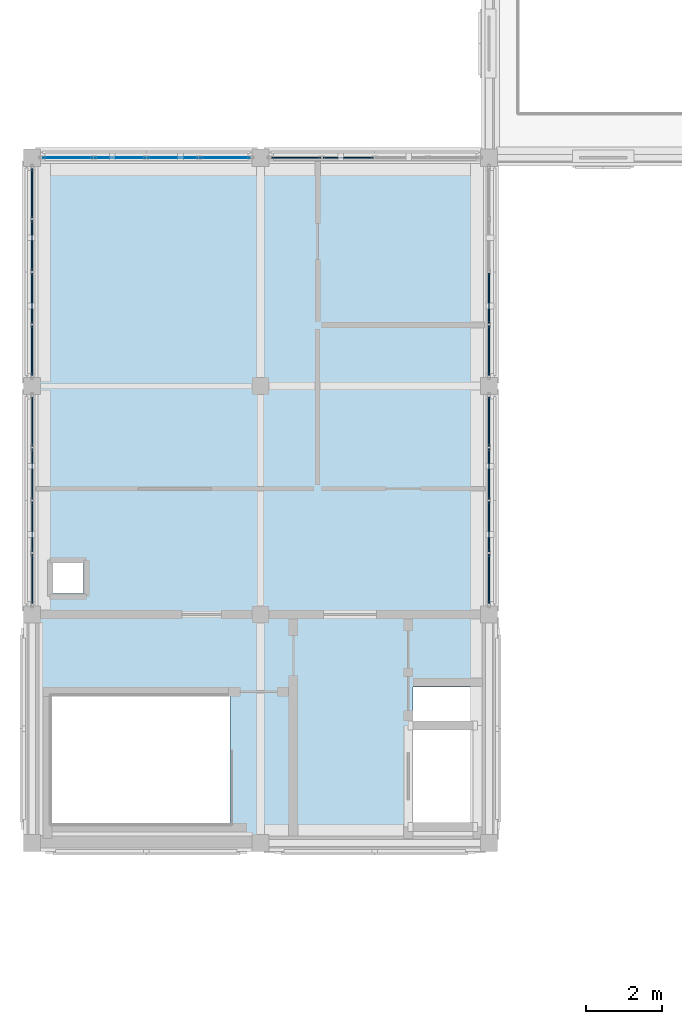
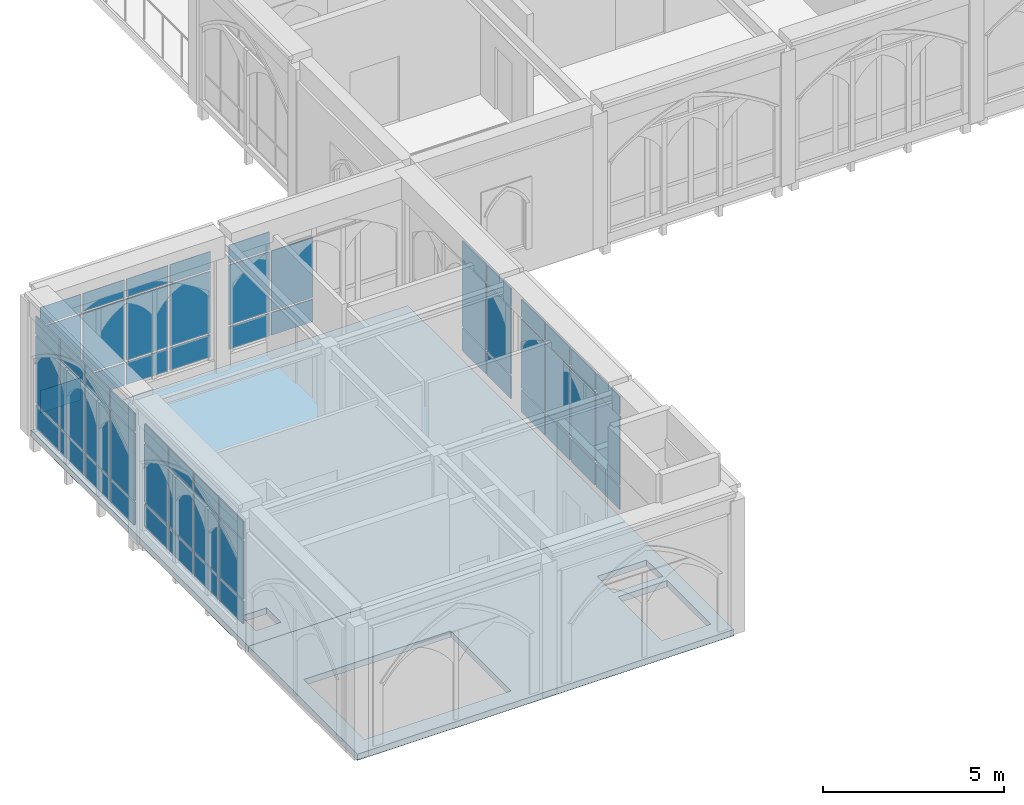
# One storey, part 35 of 59: 59 plates, 2 slabs, 6 elements without a shape of their own.
"""IFC4 building model written with IfcOpenShell, lengths in metres."""

from ifc_helpers import new_model, si_unit, direction, frame, origin, origin_2d, place, context, subcontext, project, spatial, polyline, rectangle, outline, extrude, material, layer, layer_set, type_object, element, aggregate, save


model = new_model("IFC4")

# Units and contexts
model_context = context("Model", 3, precision=1e-05, world=origin(), true_north=direction((0.0, 1.0)))
body_context = subcontext(model_context, "Body", "Model", "MODEL_VIEW")
ifc_project = project(units=[si_unit("LENGTHUNIT", "METRE"), si_unit("AREAUNIT", "SQUARE_METRE"), si_unit("VOLUMEUNIT", "CUBIC_METRE"), si_unit("PLANEANGLEUNIT", "RADIAN"), si_unit("MASSUNIT", "GRAM", prefix="KILO")], contexts=[model_context])

# Site, building, storey
site_placement = place(None, origin())
site = spatial("IfcSite", under=ifc_project, at=site_placement, CompositionType="ELEMENT")
building_placement = place(site_placement, origin())
building = spatial("IfcBuilding", under=site, at=building_placement, Name="Cumevento Cable Car Station", CompositionType="ELEMENT")
storey_placement = place(building_placement, frame((0.0, 0.0, 18.0)))
storey = spatial("IfcBuildingStorey", under=building, at=storey_placement, Name="L05", CompositionType="ELEMENT", Elevation=18.0)

# Slabs
ifc_material_1 = material(Name="Concrete C40/50", Category="concrete")
ifc_layer_1 = layer(ifc_material_1, 0.2119140625)
ifc_layer_set_1 = layer_set([ifc_layer_1], Name="Concrete C40/50")
slab_type = type_object("IfcSlabType", Name="Concrete Deck FS-212 212", PredefinedType="FLOOR", material=ifc_layer_set_1)
slab_1_placement = place(storey_placement, frame((0.0, 0.0, -0.2119140625)))
element("IfcSlab", 1, at=slab_1_placement, inside=storey, type_object=slab_type, Name="Floor Slab FS-212 L05 B_V6b_core.1", PredefinedType="FLOOR", context=body_context, shape_type="SweptSolid", body=[
    extrude(outline(polyline([(10.0, 27.0), (22.0, 27.0), (22.0, 33.0), (10.0, 33.0), (10.0, 27.0)]), holes=[polyline([(20.010009765625, 27.5400390625), (21.580078125, 27.5400390625), (21.580078125, 29.9599609375), (20.010009765625, 29.9599609375), (20.010009765625, 27.5400390625)]), polyline([(10.52001953125, 27.52001953125), (15.199951171875, 27.52001953125), (15.199951171875, 30.85009765625), (10.52001953125, 30.85009765625), (10.52001953125, 27.52001953125)]), polyline([(20.010009765625, 30.199951171875), (21.580078125, 30.199951171875), (21.580078125, 31.10009765625), (20.010009765625, 31.10009765625), (20.010009765625, 30.199951171875)])]), origin(), (0.0, 0.0, 1.0), 0.2119140625),
])
slab_2_placement = place(storey_placement, frame((0.0, 0.0, -0.2119140625)))
element("IfcSlab", 2, at=slab_2_placement, inside=storey, type_object=slab_type, Name="Floor Slab FS-212 L05 B_V6b.1", PredefinedType="FLOOR", context=body_context, shape_type="SweptSolid", body=[
    extrude(outline(polyline([(10.0, 33.0), (22.0, 33.0), (22.0, 45.0), (10.0, 45.0), (10.0, 33.0)]), holes=[polyline([(10.550048828125, 33.550048828125), (11.35009765625, 33.550048828125), (11.35009765625, 34.35009765625), (10.550048828125, 34.35009765625), (10.550048828125, 33.550048828125)])]), origin(), (0.0, 0.0, 1.0), 0.2119140625),
])

# Curtain wall, plates
ifc_material_2 = material(Name="Anodised Bronze Aluminium AW-6063-T6", Category="aluminium")
ifc_layer_2 = layer(ifc_material_2, 0.18994140625)
ifc_layer_set_2 = layer_set([ifc_layer_2], Name="Anodised Bronze Aluminium AW-6063-T6")
curtain_wall_type_1 = type_object("IfcCurtainWallType", Name="Lancet Curtain Wall CW-06 1250", PredefinedType="NOTDEFINED", material=ifc_layer_set_2)
curtain_wall_1_placement = place(storey_placement, origin())
curtain_wall_1 = element("IfcCurtainWall", 3, at=curtain_wall_1_placement, inside=storey, type_object=curtain_wall_type_1, Name="Lancet Curtain Wall CW-06 L05 #197", PredefinedType="NOTDEFINED")
ifc_material_3 = material(Name="Solar Control Laminated Double Glazing", Category="glass")
ifc_layer_3 = layer(ifc_material_3, 0.02587890625)
ifc_layer_set_3 = layer_set([ifc_layer_3], Name="Solar Control Laminated Double Glazing")
plate_type_1 = type_object("IfcPlateType", Name="Glazed Panel CWP-02 26", PredefinedType="CURTAIN_PANEL", material=ifc_layer_set_3)
plate_1_placement = place(storey_placement, frame((10.93505859375, 45.0, 0.47509765625), z_axis=(0.0, 0.0, 1.0), x_axis=(1.0, 0.0, 0.0)))
plate_1 = element("IfcPlate", 4, at=plate_1_placement, type_object=plate_type_1, Name="CW-06 panel 1.1", PredefinedType="CURTAIN_PANEL", context=body_context, shape_type="SweptSolid", body=[
    extrude(rectangle(XDim=1.2900390625, YDim=0.02587890625, at=origin_2d()), origin(), (0.0, 0.0, 1.0), 0.75244140625),
])
plate_2_placement = place(storey_placement, frame((10.93505859375, 45.0, 1.29248046875), z_axis=(0.0, 0.0, 1.0), x_axis=(1.0, 0.0, 0.0)))
plate_2 = element("IfcPlate", 5, at=plate_2_placement, type_object=plate_type_1, Name="CW-06 panel 1.2", PredefinedType="CURTAIN_PANEL", context=body_context, shape_type="SweptSolid", body=[
    extrude(rectangle(XDim=1.2900390625, YDim=0.02587890625, at=origin_2d()), origin(), (0.0, 0.0, 1.0), 2.068115234375),
])
plate_3_placement = place(storey_placement, frame((10.93505859375, 45.0, 3.425537109375), z_axis=(0.0, 0.0, 1.0), x_axis=(1.0, 0.0, 0.0)))
plate_3 = element("IfcPlate", 6, at=plate_3_placement, type_object=plate_type_1, Name="CW-06 panel 1.3", PredefinedType="CURTAIN_PANEL", context=body_context, shape_type="SweptSolid", body=[
    extrude(rectangle(XDim=1.2900390625, YDim=0.02587890625, at=origin_2d()), origin(), (0.0, 0.0, 1.0), 0.6025390625),
])
plate_4_placement = place(storey_placement, frame((12.30615234375, 45.0, 0.47509765625), z_axis=(0.0, 0.0, 1.0), x_axis=(1.0, 0.0, 0.0)))
plate_4 = element("IfcPlate", 7, at=plate_4_placement, type_object=plate_type_1, Name="CW-06 panel 2.1", PredefinedType="CURTAIN_PANEL", context=body_context, shape_type="SweptSolid", body=[
    extrude(rectangle(XDim=1.322509765625, YDim=0.02587890625, at=origin_2d()), origin(), (0.0, 0.0, 1.0), 0.75244140625),
])
plate_5_placement = place(storey_placement, frame((12.30615234375, 45.0, 1.29248046875), z_axis=(0.0, 0.0, 1.0), x_axis=(1.0, 0.0, 0.0)))
plate_5 = element("IfcPlate", 8, at=plate_5_placement, type_object=plate_type_1, Name="CW-06 panel 2.2", PredefinedType="CURTAIN_PANEL", context=body_context, shape_type="SweptSolid", body=[
    extrude(rectangle(XDim=1.322509765625, YDim=0.02587890625, at=origin_2d()), origin(), (0.0, 0.0, 1.0), 2.068115234375),
])
plate_6_placement = place(storey_placement, frame((12.30615234375, 45.0, 3.425537109375), z_axis=(0.0, 0.0, 1.0), x_axis=(1.0, 0.0, 0.0)))
plate_6 = element("IfcPlate", 9, at=plate_6_placement, type_object=plate_type_1, Name="CW-06 panel 2.3", PredefinedType="CURTAIN_PANEL", context=body_context, shape_type="SweptSolid", body=[
    extrude(rectangle(XDim=1.322509765625, YDim=0.02587890625, at=origin_2d()), origin(), (0.0, 0.0, 1.0), 0.6025390625),
])
plate_7_placement = place(storey_placement, frame((13.69384765625, 45.0, 0.47509765625), z_axis=(0.0, 0.0, 1.0), x_axis=(1.0, 0.0, 0.0)))
plate_7 = element("IfcPlate", 10, at=plate_7_placement, type_object=plate_type_1, Name="CW-06 panel 3.1", PredefinedType="CURTAIN_PANEL", context=body_context, shape_type="SweptSolid", body=[
    extrude(rectangle(XDim=1.322509765625, YDim=0.02587890625, at=origin_2d()), origin(), (0.0, 0.0, 1.0), 0.75244140625),
])
plate_8_placement = place(storey_placement, frame((13.69384765625, 45.0, 1.29248046875), z_axis=(0.0, 0.0, 1.0), x_axis=(1.0, 0.0, 0.0)))
plate_8 = element("IfcPlate", 11, at=plate_8_placement, type_object=plate_type_1, Name="CW-06 panel 3.2", PredefinedType="CURTAIN_PANEL", context=body_context, shape_type="SweptSolid", body=[
    extrude(rectangle(XDim=1.322509765625, YDim=0.02587890625, at=origin_2d()), origin(), (0.0, 0.0, 1.0), 2.068115234375),
])
plate_9_placement = place(storey_placement, frame((13.69384765625, 45.0, 3.425537109375), z_axis=(0.0, 0.0, 1.0), x_axis=(1.0, 0.0, 0.0)))
plate_9 = element("IfcPlate", 12, at=plate_9_placement, type_object=plate_type_1, Name="CW-06 panel 3.3", PredefinedType="CURTAIN_PANEL", context=body_context, shape_type="SweptSolid", body=[
    extrude(rectangle(XDim=1.322509765625, YDim=0.02587890625, at=origin_2d()), origin(), (0.0, 0.0, 1.0), 0.6025390625),
])
plate_10_placement = place(storey_placement, frame((15.06494140625, 45.0, 0.47509765625), z_axis=(0.0, 0.0, 1.0), x_axis=(1.0, 0.0, 0.0)))
plate_10 = element("IfcPlate", 13, at=plate_10_placement, type_object=plate_type_1, Name="CW-06 panel 4.1", PredefinedType="CURTAIN_PANEL", context=body_context, shape_type="SweptSolid", body=[
    extrude(rectangle(XDim=1.2900390625, YDim=0.02587890625, at=origin_2d()), origin(), (0.0, 0.0, 1.0), 0.75244140625),
])
plate_11_placement = place(storey_placement, frame((15.06494140625, 45.0, 1.29248046875), z_axis=(0.0, 0.0, 1.0), x_axis=(1.0, 0.0, 0.0)))
plate_11 = element("IfcPlate", 14, at=plate_11_placement, type_object=plate_type_1, Name="CW-06 panel 4.2", PredefinedType="CURTAIN_PANEL", context=body_context, shape_type="SweptSolid", body=[
    extrude(rectangle(XDim=1.2900390625, YDim=0.02587890625, at=origin_2d()), origin(), (0.0, 0.0, 1.0), 2.068115234375),
])
plate_12_placement = place(storey_placement, frame((15.06494140625, 45.0, 3.425537109375), z_axis=(0.0, 0.0, 1.0), x_axis=(1.0, 0.0, 0.0)))
plate_12 = element("IfcPlate", 15, at=plate_12_placement, type_object=plate_type_1, Name="CW-06 panel 4.3", PredefinedType="CURTAIN_PANEL", context=body_context, shape_type="SweptSolid", body=[
    extrude(rectangle(XDim=1.2900390625, YDim=0.02587890625, at=origin_2d()), origin(), (0.0, 0.0, 1.0), 0.6025390625),
])
aggregate(curtain_wall_1, [plate_1, plate_2, plate_3, plate_4, plate_5, plate_6, plate_7, plate_8, plate_9, plate_10, plate_11, plate_12])

ifc_material_4 = material(Name="Anodised Bronze Aluminium AW-6063-T6", Category="aluminium")
ifc_layer_4 = layer(ifc_material_4, 0.196044921875)
ifc_layer_set_4 = layer_set([ifc_layer_4], Name="Anodised Bronze Aluminium AW-6063-T6")
curtain_wall_type_2 = type_object("IfcCurtainWallType", Name="Lancet Curtain Wall CW-07 1290", PredefinedType="NOTDEFINED", material=ifc_layer_set_4)
curtain_wall_2_placement = place(storey_placement, origin())
curtain_wall_2 = element("IfcCurtainWall", 16, at=curtain_wall_2_placement, inside=storey, type_object=curtain_wall_type_2, Name="Lancet Curtain Wall CW-07 L05 #198", PredefinedType="NOTDEFINED")
ifc_material_5 = material(Name="Solar Control Laminated Double Glazing", Category="glass")
ifc_layer_5 = layer(ifc_material_5, 0.030029296875)
ifc_layer_set_5 = layer_set([ifc_layer_5], Name="Solar Control Laminated Double Glazing")
plate_type_2 = type_object("IfcPlateType", Name="Glazed Panel CWP-03 30", PredefinedType="CURTAIN_PANEL", material=ifc_layer_set_5)
plate_13_placement = place(storey_placement, frame((16.93505859375, 45.0, 0.525146484375), z_axis=(0.0, 0.0, 1.0), x_axis=(1.0, 0.0, 0.0)))
plate_13 = element("IfcPlate", 17, at=plate_13_placement, type_object=plate_type_2, Name="CW-07 panel 1.1", PredefinedType="CURTAIN_PANEL", context=body_context, shape_type="SweptSolid", body=[
    extrude(rectangle(XDim=1.2900390625, YDim=0.030029296875, at=origin_2d()), origin(), (0.0, 0.0, 1.0), 0.75244140625),
])
plate_14_placement = place(storey_placement, frame((16.93505859375, 45.0, 1.342529296875), z_axis=(0.0, 0.0, 1.0), x_axis=(1.0, 0.0, 0.0)))
plate_14 = element("IfcPlate", 18, at=plate_14_placement, type_object=plate_type_2, Name="CW-07 panel 1.2", PredefinedType="CURTAIN_PANEL", context=body_context, shape_type="SweptSolid", body=[
    extrude(rectangle(XDim=1.2900390625, YDim=0.030029296875, at=origin_2d()), origin(), (0.0, 0.0, 1.0), 2.01806640625),
])
plate_15_placement = place(storey_placement, frame((16.93505859375, 45.0, 3.425537109375), z_axis=(0.0, 0.0, 1.0), x_axis=(1.0, 0.0, 0.0)))
plate_15 = element("IfcPlate", 19, at=plate_15_placement, type_object=plate_type_2, Name="CW-07 panel 1.3", PredefinedType="CURTAIN_PANEL", context=body_context, shape_type="SweptSolid", body=[
    extrude(rectangle(XDim=1.2900390625, YDim=0.030029296875, at=origin_2d()), origin(), (0.0, 0.0, 1.0), 0.6025390625),
])
plate_16_placement = place(storey_placement, frame((18.30615234375, 45.0, 0.525146484375), z_axis=(0.0, 0.0, 1.0), x_axis=(1.0, 0.0, 0.0)))
plate_16 = element("IfcPlate", 20, at=plate_16_placement, type_object=plate_type_2, Name="CW-07 panel 2.1", PredefinedType="CURTAIN_PANEL", context=body_context, shape_type="SweptSolid", body=[
    extrude(rectangle(XDim=1.322509765625, YDim=0.030029296875, at=origin_2d()), origin(), (0.0, 0.0, 1.0), 0.75244140625),
])
plate_17_placement = place(storey_placement, frame((18.30615234375, 45.0, 1.342529296875), z_axis=(0.0, 0.0, 1.0), x_axis=(1.0, 0.0, 0.0)))
plate_17 = element("IfcPlate", 21, at=plate_17_placement, type_object=plate_type_2, Name="CW-07 panel 2.2", PredefinedType="CURTAIN_PANEL", context=body_context, shape_type="SweptSolid", body=[
    extrude(rectangle(XDim=1.322509765625, YDim=0.030029296875, at=origin_2d()), origin(), (0.0, 0.0, 1.0), 2.01806640625),
])
aggregate(curtain_wall_2, [plate_13, plate_14, plate_15, plate_16, plate_17])

ifc_material_6 = material(Name="Anodised Bronze Aluminium AW-6063-T6", Category="aluminium")
ifc_layer_6 = layer(ifc_material_6, 0.201904296875)
ifc_layer_set_6 = layer_set([ifc_layer_6], Name="Anodised Bronze Aluminium AW-6063-T6")
curtain_wall_type_3 = type_object("IfcCurtainWallType", Name="Lancet Curtain Wall CW-08 1330", PredefinedType="NOTDEFINED", material=ifc_layer_set_6)
curtain_wall_3_placement = place(storey_placement, origin())
curtain_wall_3 = element("IfcCurtainWall", 22, at=curtain_wall_3_placement, inside=storey, type_object=curtain_wall_type_3, Name="Lancet Curtain Wall CW-08 L05 #199", PredefinedType="NOTDEFINED")
ifc_material_7 = material(Name="Solar Control Laminated Double Glazing", Category="glass")
ifc_layer_7 = layer(ifc_material_7, 0.033935546875)
ifc_layer_set_7 = layer_set([ifc_layer_7], Name="Solar Control Laminated Double Glazing")
plate_type_3 = type_object("IfcPlateType", Name="Glazed Panel CWP-04 34", PredefinedType="CURTAIN_PANEL", material=ifc_layer_set_7)
plate_18_placement = place(storey_placement, frame((10.0, 33.93505859375, 0.5849609375), z_axis=(0.0, 0.0, 1.0), x_axis=(0.0, 1.0, 0.0)))
plate_18 = element("IfcPlate", 23, at=plate_18_placement, type_object=plate_type_3, Name="CW-08 panel 1.1", PredefinedType="CURTAIN_PANEL", context=body_context, shape_type="SweptSolid", body=[
    extrude(rectangle(XDim=1.2900390625, YDim=0.033935546875, at=origin_2d()), origin(), (0.0, 0.0, 1.0), 0.75244140625),
])
plate_19_placement = place(storey_placement, frame((10.0, 33.93505859375, 1.402587890625), z_axis=(0.0, 0.0, 1.0), x_axis=(0.0, 1.0, 0.0)))
plate_19 = element("IfcPlate", 24, at=plate_19_placement, type_object=plate_type_3, Name="CW-08 panel 1.2", PredefinedType="CURTAIN_PANEL", context=body_context, shape_type="SweptSolid", body=[
    extrude(rectangle(XDim=1.2900390625, YDim=0.033935546875, at=origin_2d()), origin(), (0.0, 0.0, 1.0), 1.9580078125),
])
plate_20_placement = place(storey_placement, frame((10.0, 33.93505859375, 3.425537109375), z_axis=(0.0, 0.0, 1.0), x_axis=(0.0, 1.0, 0.0)))
plate_20 = element("IfcPlate", 25, at=plate_20_placement, type_object=plate_type_3, Name="CW-08 panel 1.3", PredefinedType="CURTAIN_PANEL", context=body_context, shape_type="SweptSolid", body=[
    extrude(rectangle(XDim=1.2900390625, YDim=0.033935546875, at=origin_2d()), origin(), (0.0, 0.0, 1.0), 0.6025390625),
])
plate_21_placement = place(storey_placement, frame((10.0, 35.30615234375, 0.5849609375), z_axis=(0.0, 0.0, 1.0), x_axis=(0.0, 1.0, 0.0)))
plate_21 = element("IfcPlate", 26, at=plate_21_placement, type_object=plate_type_3, Name="CW-08 panel 2.1", PredefinedType="CURTAIN_PANEL", context=body_context, shape_type="SweptSolid", body=[
    extrude(rectangle(XDim=1.322509765625, YDim=0.033935546875, at=origin_2d()), origin(), (0.0, 0.0, 1.0), 0.75244140625),
])
plate_22_placement = place(storey_placement, frame((10.0, 35.30615234375, 1.402587890625), z_axis=(0.0, 0.0, 1.0), x_axis=(0.0, 1.0, 0.0)))
plate_22 = element("IfcPlate", 27, at=plate_22_placement, type_object=plate_type_3, Name="CW-08 panel 2.2", PredefinedType="CURTAIN_PANEL", context=body_context, shape_type="SweptSolid", body=[
    extrude(rectangle(XDim=1.322509765625, YDim=0.033935546875, at=origin_2d()), origin(), (0.0, 0.0, 1.0), 1.9580078125),
])
plate_23_placement = place(storey_placement, frame((10.0, 35.30615234375, 3.425537109375), z_axis=(0.0, 0.0, 1.0), x_axis=(0.0, 1.0, 0.0)))
plate_23 = element("IfcPlate", 28, at=plate_23_placement, type_object=plate_type_3, Name="CW-08 panel 2.3", PredefinedType="CURTAIN_PANEL", context=body_context, shape_type="SweptSolid", body=[
    extrude(rectangle(XDim=1.322509765625, YDim=0.033935546875, at=origin_2d()), origin(), (0.0, 0.0, 1.0), 0.6025390625),
])
plate_24_placement = place(storey_placement, frame((10.0, 36.69384765625, 0.5849609375), z_axis=(0.0, 0.0, 1.0), x_axis=(0.0, 1.0, 0.0)))
plate_24 = element("IfcPlate", 29, at=plate_24_placement, type_object=plate_type_3, Name="CW-08 panel 3.1", PredefinedType="CURTAIN_PANEL", context=body_context, shape_type="SweptSolid", body=[
    extrude(rectangle(XDim=1.322509765625, YDim=0.033935546875, at=origin_2d()), origin(), (0.0, 0.0, 1.0), 0.75244140625),
])
plate_25_placement = place(storey_placement, frame((10.0, 36.69384765625, 1.402587890625), z_axis=(0.0, 0.0, 1.0), x_axis=(0.0, 1.0, 0.0)))
plate_25 = element("IfcPlate", 30, at=plate_25_placement, type_object=plate_type_3, Name="CW-08 panel 3.2", PredefinedType="CURTAIN_PANEL", context=body_context, shape_type="SweptSolid", body=[
    extrude(rectangle(XDim=1.322509765625, YDim=0.033935546875, at=origin_2d()), origin(), (0.0, 0.0, 1.0), 1.9580078125),
])
plate_26_placement = place(storey_placement, frame((10.0, 36.69384765625, 3.425537109375), z_axis=(0.0, 0.0, 1.0), x_axis=(0.0, 1.0, 0.0)))
plate_26 = element("IfcPlate", 31, at=plate_26_placement, type_object=plate_type_3, Name="CW-08 panel 3.3", PredefinedType="CURTAIN_PANEL", context=body_context, shape_type="SweptSolid", body=[
    extrude(rectangle(XDim=1.322509765625, YDim=0.033935546875, at=origin_2d()), origin(), (0.0, 0.0, 1.0), 0.6025390625),
])
plate_27_placement = place(storey_placement, frame((10.0, 38.06494140625, 0.5849609375), z_axis=(0.0, 0.0, 1.0), x_axis=(0.0, 1.0, 0.0)))
plate_27 = element("IfcPlate", 32, at=plate_27_placement, type_object=plate_type_3, Name="CW-08 panel 4.1", PredefinedType="CURTAIN_PANEL", context=body_context, shape_type="SweptSolid", body=[
    extrude(rectangle(XDim=1.2900390625, YDim=0.033935546875, at=origin_2d()), origin(), (0.0, 0.0, 1.0), 0.75244140625),
])
plate_28_placement = place(storey_placement, frame((10.0, 38.06494140625, 1.402587890625), z_axis=(0.0, 0.0, 1.0), x_axis=(0.0, 1.0, 0.0)))
plate_28 = element("IfcPlate", 33, at=plate_28_placement, type_object=plate_type_3, Name="CW-08 panel 4.2", PredefinedType="CURTAIN_PANEL", context=body_context, shape_type="SweptSolid", body=[
    extrude(rectangle(XDim=1.2900390625, YDim=0.033935546875, at=origin_2d()), origin(), (0.0, 0.0, 1.0), 1.9580078125),
])
plate_29_placement = place(storey_placement, frame((10.0, 38.06494140625, 3.425537109375), z_axis=(0.0, 0.0, 1.0), x_axis=(0.0, 1.0, 0.0)))
plate_29 = element("IfcPlate", 34, at=plate_29_placement, type_object=plate_type_3, Name="CW-08 panel 4.3", PredefinedType="CURTAIN_PANEL", context=body_context, shape_type="SweptSolid", body=[
    extrude(rectangle(XDim=1.2900390625, YDim=0.033935546875, at=origin_2d()), origin(), (0.0, 0.0, 1.0), 0.6025390625),
])
aggregate(curtain_wall_3, [plate_18, plate_19, plate_20, plate_21, plate_22, plate_23, plate_24, plate_25, plate_26, plate_27, plate_28, plate_29])

ifc_material_8 = material(Name="Anodised Bronze Aluminium AW-6063-T6", Category="aluminium")
ifc_layer_8 = layer(ifc_material_8, 0.2080078125)
ifc_layer_set_8 = layer_set([ifc_layer_8], Name="Anodised Bronze Aluminium AW-6063-T6")
curtain_wall_type_4 = type_object("IfcCurtainWallType", Name="Lancet Curtain Wall CW-09 1370", PredefinedType="NOTDEFINED", material=ifc_layer_set_8)
curtain_wall_4_placement = place(storey_placement, origin())
curtain_wall_4 = element("IfcCurtainWall", 35, at=curtain_wall_4_placement, inside=storey, type_object=curtain_wall_type_4, Name="Lancet Curtain Wall CW-09 L05 #200", PredefinedType="NOTDEFINED")
ifc_material_9 = material(Name="Solar Control Laminated Double Glazing", Category="glass")
ifc_layer_9 = layer(ifc_material_9, 0.0380859375)
ifc_layer_set_9 = layer_set([ifc_layer_9], Name="Solar Control Laminated Double Glazing")
plate_type_4 = type_object("IfcPlateType", Name="Glazed Panel CWP-05 38", PredefinedType="CURTAIN_PANEL", material=ifc_layer_set_9)
plate_30_placement = place(storey_placement, frame((22.0, 38.06494140625, 0.22509765625), z_axis=(0.0, 0.0, 1.0), x_axis=(0.0, -1.0, 0.0)))
plate_30 = element("IfcPlate", 36, at=plate_30_placement, type_object=plate_type_4, Name="CW-09 panel 1.1", PredefinedType="CURTAIN_PANEL", context=body_context, shape_type="SweptSolid", body=[
    extrude(rectangle(XDim=1.2900390625, YDim=0.0380859375, at=origin_2d()), origin(), (0.0, 0.0, 1.0), 0.75244140625),
])
plate_31_placement = place(storey_placement, frame((22.0, 38.06494140625, 1.04248046875), z_axis=(0.0, 0.0, 1.0), x_axis=(0.0, -1.0, 0.0)))
plate_31 = element("IfcPlate", 37, at=plate_31_placement, type_object=plate_type_4, Name="CW-09 panel 1.2", PredefinedType="CURTAIN_PANEL", context=body_context, shape_type="SweptSolid", body=[
    extrude(rectangle(XDim=1.2900390625, YDim=0.0380859375, at=origin_2d()), origin(), (0.0, 0.0, 1.0), 2.318115234375),
])
plate_32_placement = place(storey_placement, frame((22.0, 38.06494140625, 3.425537109375), z_axis=(0.0, 0.0, 1.0), x_axis=(0.0, -1.0, 0.0)))
plate_32 = element("IfcPlate", 38, at=plate_32_placement, type_object=plate_type_4, Name="CW-09 panel 1.3", PredefinedType="CURTAIN_PANEL", context=body_context, shape_type="SweptSolid", body=[
    extrude(rectangle(XDim=1.2900390625, YDim=0.0380859375, at=origin_2d()), origin(), (0.0, 0.0, 1.0), 0.6025390625),
])
plate_33_placement = place(storey_placement, frame((22.0, 36.69384765625, 0.22509765625), z_axis=(0.0, 0.0, 1.0), x_axis=(0.0, -1.0, 0.0)))
plate_33 = element("IfcPlate", 39, at=plate_33_placement, type_object=plate_type_4, Name="CW-09 panel 2.1", PredefinedType="CURTAIN_PANEL", context=body_context, shape_type="SweptSolid", body=[
    extrude(rectangle(XDim=1.322509765625, YDim=0.0380859375, at=origin_2d()), origin(), (0.0, 0.0, 1.0), 0.75244140625),
])
plate_34_placement = place(storey_placement, frame((22.0, 36.69384765625, 1.04248046875), z_axis=(0.0, 0.0, 1.0), x_axis=(0.0, -1.0, 0.0)))
plate_34 = element("IfcPlate", 40, at=plate_34_placement, type_object=plate_type_4, Name="CW-09 panel 2.2", PredefinedType="CURTAIN_PANEL", context=body_context, shape_type="SweptSolid", body=[
    extrude(rectangle(XDim=1.322509765625, YDim=0.0380859375, at=origin_2d()), origin(), (0.0, 0.0, 1.0), 2.318115234375),
])
plate_35_placement = place(storey_placement, frame((22.0, 36.69384765625, 3.425537109375), z_axis=(0.0, 0.0, 1.0), x_axis=(0.0, -1.0, 0.0)))
plate_35 = element("IfcPlate", 41, at=plate_35_placement, type_object=plate_type_4, Name="CW-09 panel 2.3", PredefinedType="CURTAIN_PANEL", context=body_context, shape_type="SweptSolid", body=[
    extrude(rectangle(XDim=1.322509765625, YDim=0.0380859375, at=origin_2d()), origin(), (0.0, 0.0, 1.0), 0.6025390625),
])
plate_36_placement = place(storey_placement, frame((22.0, 35.30615234375, 0.22509765625), z_axis=(0.0, 0.0, 1.0), x_axis=(0.0, -1.0, 0.0)))
plate_36 = element("IfcPlate", 42, at=plate_36_placement, type_object=plate_type_4, Name="CW-09 panel 3.1", PredefinedType="CURTAIN_PANEL", context=body_context, shape_type="SweptSolid", body=[
    extrude(rectangle(XDim=1.322509765625, YDim=0.0380859375, at=origin_2d()), origin(), (0.0, 0.0, 1.0), 0.75244140625),
])
plate_37_placement = place(storey_placement, frame((22.0, 35.30615234375, 1.04248046875), z_axis=(0.0, 0.0, 1.0), x_axis=(0.0, -1.0, 0.0)))
plate_37 = element("IfcPlate", 43, at=plate_37_placement, type_object=plate_type_4, Name="CW-09 panel 3.2", PredefinedType="CURTAIN_PANEL", context=body_context, shape_type="SweptSolid", body=[
    extrude(rectangle(XDim=1.322509765625, YDim=0.0380859375, at=origin_2d()), origin(), (0.0, 0.0, 1.0), 2.318115234375),
])
plate_38_placement = place(storey_placement, frame((22.0, 35.30615234375, 3.425537109375), z_axis=(0.0, 0.0, 1.0), x_axis=(0.0, -1.0, 0.0)))
plate_38 = element("IfcPlate", 44, at=plate_38_placement, type_object=plate_type_4, Name="CW-09 panel 3.3", PredefinedType="CURTAIN_PANEL", context=body_context, shape_type="SweptSolid", body=[
    extrude(rectangle(XDim=1.322509765625, YDim=0.0380859375, at=origin_2d()), origin(), (0.0, 0.0, 1.0), 0.6025390625),
])
plate_39_placement = place(storey_placement, frame((22.0, 33.93505859375, 0.22509765625), z_axis=(0.0, 0.0, 1.0), x_axis=(0.0, -1.0, 0.0)))
plate_39 = element("IfcPlate", 45, at=plate_39_placement, type_object=plate_type_4, Name="CW-09 panel 4.1", PredefinedType="CURTAIN_PANEL", context=body_context, shape_type="SweptSolid", body=[
    extrude(rectangle(XDim=1.2900390625, YDim=0.0380859375, at=origin_2d()), origin(), (0.0, 0.0, 1.0), 0.75244140625),
])
plate_40_placement = place(storey_placement, frame((22.0, 33.93505859375, 1.04248046875), z_axis=(0.0, 0.0, 1.0), x_axis=(0.0, -1.0, 0.0)))
plate_40 = element("IfcPlate", 46, at=plate_40_placement, type_object=plate_type_4, Name="CW-09 panel 4.2", PredefinedType="CURTAIN_PANEL", context=body_context, shape_type="SweptSolid", body=[
    extrude(rectangle(XDim=1.2900390625, YDim=0.0380859375, at=origin_2d()), origin(), (0.0, 0.0, 1.0), 2.318115234375),
])
plate_41_placement = place(storey_placement, frame((22.0, 33.93505859375, 3.425537109375), z_axis=(0.0, 0.0, 1.0), x_axis=(0.0, -1.0, 0.0)))
plate_41 = element("IfcPlate", 47, at=plate_41_placement, type_object=plate_type_4, Name="CW-09 panel 4.3", PredefinedType="CURTAIN_PANEL", context=body_context, shape_type="SweptSolid", body=[
    extrude(rectangle(XDim=1.2900390625, YDim=0.0380859375, at=origin_2d()), origin(), (0.0, 0.0, 1.0), 0.6025390625),
])
aggregate(curtain_wall_4, [plate_30, plate_31, plate_32, plate_33, plate_34, plate_35, plate_36, plate_37, plate_38, plate_39, plate_40, plate_41])

ifc_material_10 = material(Name="Anodised Bronze Aluminium AW-6063-T6", Category="aluminium")
ifc_layer_10 = layer(ifc_material_10, 0.214111328125)
ifc_layer_set_10 = layer_set([ifc_layer_10], Name="Anodised Bronze Aluminium AW-6063-T6")
curtain_wall_type_5 = type_object("IfcCurtainWallType", Name="Lancet Curtain Wall CW-10 1410", PredefinedType="NOTDEFINED", material=ifc_layer_set_10)
curtain_wall_5_placement = place(storey_placement, origin())
curtain_wall_5 = element("IfcCurtainWall", 48, at=curtain_wall_5_placement, inside=storey, type_object=curtain_wall_type_5, Name="Lancet Curtain Wall CW-10 L05 #201", PredefinedType="NOTDEFINED")
ifc_material_11 = material(Name="Solar Control Laminated Double Glazing", Category="glass")
ifc_layer_11 = layer(ifc_material_11, 0.0419921875)
ifc_layer_set_11 = layer_set([ifc_layer_11], Name="Solar Control Laminated Double Glazing")
plate_type_5 = type_object("IfcPlateType", Name="Glazed Panel CWP-06 42", PredefinedType="CURTAIN_PANEL", material=ifc_layer_set_11)
plate_42_placement = place(storey_placement, frame((10.0, 39.93505859375, 0.275146484375), z_axis=(0.0, 0.0, 1.0), x_axis=(0.0, 1.0, 0.0)))
plate_42 = element("IfcPlate", 49, at=plate_42_placement, type_object=plate_type_5, Name="CW-10 panel 1.1", PredefinedType="CURTAIN_PANEL", context=body_context, shape_type="SweptSolid", body=[
    extrude(rectangle(XDim=1.2900390625, YDim=0.0419921875, at=origin_2d()), origin(), (0.0, 0.0, 1.0), 0.75244140625),
])
plate_43_placement = place(storey_placement, frame((10.0, 39.93505859375, 1.092529296875), z_axis=(0.0, 0.0, 1.0), x_axis=(0.0, 1.0, 0.0)))
plate_43 = element("IfcPlate", 50, at=plate_43_placement, type_object=plate_type_5, Name="CW-10 panel 1.2", PredefinedType="CURTAIN_PANEL", context=body_context, shape_type="SweptSolid", body=[
    extrude(rectangle(XDim=1.2900390625, YDim=0.0419921875, at=origin_2d()), origin(), (0.0, 0.0, 1.0), 2.26806640625),
])
plate_44_placement = place(storey_placement, frame((10.0, 39.93505859375, 3.425537109375), z_axis=(0.0, 0.0, 1.0), x_axis=(0.0, 1.0, 0.0)))
plate_44 = element("IfcPlate", 51, at=plate_44_placement, type_object=plate_type_5, Name="CW-10 panel 1.3", PredefinedType="CURTAIN_PANEL", context=body_context, shape_type="SweptSolid", body=[
    extrude(rectangle(XDim=1.2900390625, YDim=0.0419921875, at=origin_2d()), origin(), (0.0, 0.0, 1.0), 0.6025390625),
])
plate_45_placement = place(storey_placement, frame((10.0, 41.30615234375, 0.275146484375), z_axis=(0.0, 0.0, 1.0), x_axis=(0.0, 1.0, 0.0)))
plate_45 = element("IfcPlate", 52, at=plate_45_placement, type_object=plate_type_5, Name="CW-10 panel 2.1", PredefinedType="CURTAIN_PANEL", context=body_context, shape_type="SweptSolid", body=[
    extrude(rectangle(XDim=1.322509765625, YDim=0.0419921875, at=origin_2d()), origin(), (0.0, 0.0, 1.0), 0.75244140625),
])
plate_46_placement = place(storey_placement, frame((10.0, 41.30615234375, 1.092529296875), z_axis=(0.0, 0.0, 1.0), x_axis=(0.0, 1.0, 0.0)))
plate_46 = element("IfcPlate", 53, at=plate_46_placement, type_object=plate_type_5, Name="CW-10 panel 2.2", PredefinedType="CURTAIN_PANEL", context=body_context, shape_type="SweptSolid", body=[
    extrude(rectangle(XDim=1.322509765625, YDim=0.0419921875, at=origin_2d()), origin(), (0.0, 0.0, 1.0), 2.26806640625),
])
plate_47_placement = place(storey_placement, frame((10.0, 41.30615234375, 3.425537109375), z_axis=(0.0, 0.0, 1.0), x_axis=(0.0, 1.0, 0.0)))
plate_47 = element("IfcPlate", 54, at=plate_47_placement, type_object=plate_type_5, Name="CW-10 panel 2.3", PredefinedType="CURTAIN_PANEL", context=body_context, shape_type="SweptSolid", body=[
    extrude(rectangle(XDim=1.322509765625, YDim=0.0419921875, at=origin_2d()), origin(), (0.0, 0.0, 1.0), 0.6025390625),
])
plate_48_placement = place(storey_placement, frame((10.0, 42.69384765625, 0.275146484375), z_axis=(0.0, 0.0, 1.0), x_axis=(0.0, 1.0, 0.0)))
plate_48 = element("IfcPlate", 55, at=plate_48_placement, type_object=plate_type_5, Name="CW-10 panel 3.1", PredefinedType="CURTAIN_PANEL", context=body_context, shape_type="SweptSolid", body=[
    extrude(rectangle(XDim=1.322509765625, YDim=0.0419921875, at=origin_2d()), origin(), (0.0, 0.0, 1.0), 0.75244140625),
])
plate_49_placement = place(storey_placement, frame((10.0, 42.69384765625, 1.092529296875), z_axis=(0.0, 0.0, 1.0), x_axis=(0.0, 1.0, 0.0)))
plate_49 = element("IfcPlate", 56, at=plate_49_placement, type_object=plate_type_5, Name="CW-10 panel 3.2", PredefinedType="CURTAIN_PANEL", context=body_context, shape_type="SweptSolid", body=[
    extrude(rectangle(XDim=1.322509765625, YDim=0.0419921875, at=origin_2d()), origin(), (0.0, 0.0, 1.0), 2.26806640625),
])
plate_50_placement = place(storey_placement, frame((10.0, 42.69384765625, 3.425537109375), z_axis=(0.0, 0.0, 1.0), x_axis=(0.0, 1.0, 0.0)))
plate_50 = element("IfcPlate", 57, at=plate_50_placement, type_object=plate_type_5, Name="CW-10 panel 3.3", PredefinedType="CURTAIN_PANEL", context=body_context, shape_type="SweptSolid", body=[
    extrude(rectangle(XDim=1.322509765625, YDim=0.0419921875, at=origin_2d()), origin(), (0.0, 0.0, 1.0), 0.6025390625),
])
plate_51_placement = place(storey_placement, frame((10.0, 44.06494140625, 0.275146484375), z_axis=(0.0, 0.0, 1.0), x_axis=(0.0, 1.0, 0.0)))
plate_51 = element("IfcPlate", 58, at=plate_51_placement, type_object=plate_type_5, Name="CW-10 panel 4.1", PredefinedType="CURTAIN_PANEL", context=body_context, shape_type="SweptSolid", body=[
    extrude(rectangle(XDim=1.2900390625, YDim=0.0419921875, at=origin_2d()), origin(), (0.0, 0.0, 1.0), 0.75244140625),
])
plate_52_placement = place(storey_placement, frame((10.0, 44.06494140625, 1.092529296875), z_axis=(0.0, 0.0, 1.0), x_axis=(0.0, 1.0, 0.0)))
plate_52 = element("IfcPlate", 59, at=plate_52_placement, type_object=plate_type_5, Name="CW-10 panel 4.2", PredefinedType="CURTAIN_PANEL", context=body_context, shape_type="SweptSolid", body=[
    extrude(rectangle(XDim=1.2900390625, YDim=0.0419921875, at=origin_2d()), origin(), (0.0, 0.0, 1.0), 2.26806640625),
])
plate_53_placement = place(storey_placement, frame((10.0, 44.06494140625, 3.425537109375), z_axis=(0.0, 0.0, 1.0), x_axis=(0.0, 1.0, 0.0)))
plate_53 = element("IfcPlate", 60, at=plate_53_placement, type_object=plate_type_5, Name="CW-10 panel 4.3", PredefinedType="CURTAIN_PANEL", context=body_context, shape_type="SweptSolid", body=[
    extrude(rectangle(XDim=1.2900390625, YDim=0.0419921875, at=origin_2d()), origin(), (0.0, 0.0, 1.0), 0.6025390625),
])
aggregate(curtain_wall_5, [plate_42, plate_43, plate_44, plate_45, plate_46, plate_47, plate_48, plate_49, plate_50, plate_51, plate_52, plate_53])

ifc_material_12 = material(Name="Anodised Bronze Aluminium AW-6063-T6", Category="aluminium")
ifc_layer_12 = layer(ifc_material_12, 0.219970703125)
ifc_layer_set_12 = layer_set([ifc_layer_12], Name="Anodised Bronze Aluminium AW-6063-T6")
curtain_wall_type_6 = type_object("IfcCurtainWallType", Name="Lancet Curtain Wall CW-11 1450", PredefinedType="NOTDEFINED", material=ifc_layer_set_12)
curtain_wall_6_placement = place(storey_placement, origin())
curtain_wall_6 = element("IfcCurtainWall", 61, at=curtain_wall_6_placement, inside=storey, type_object=curtain_wall_type_6, Name="Lancet Curtain Wall CW-11 L05 #202", PredefinedType="NOTDEFINED")
ifc_material_13 = material(Name="Solar Control Laminated Double Glazing", Category="glass")
ifc_layer_13 = layer(ifc_material_13, 0.0458984375)
ifc_layer_set_13 = layer_set([ifc_layer_13], Name="Solar Control Laminated Double Glazing")
plate_type_6 = type_object("IfcPlateType", Name="Glazed Panel CWP-07 46", PredefinedType="CURTAIN_PANEL", material=ifc_layer_set_13)
plate_54_placement = place(storey_placement, frame((22.0, 41.30615234375, 0.324951171875), z_axis=(0.0, 0.0, 1.0), x_axis=(0.0, -1.0, 0.0)))
plate_54 = element("IfcPlate", 62, at=plate_54_placement, type_object=plate_type_6, Name="CW-11 panel 3.1", PredefinedType="CURTAIN_PANEL", context=body_context, shape_type="SweptSolid", body=[
    extrude(rectangle(XDim=1.322509765625, YDim=0.0458984375, at=origin_2d()), origin(), (0.0, 0.0, 1.0), 0.75244140625),
])
plate_55_placement = place(storey_placement, frame((22.0, 41.30615234375, 1.142578125), z_axis=(0.0, 0.0, 1.0), x_axis=(0.0, -1.0, 0.0)))
plate_55 = element("IfcPlate", 63, at=plate_55_placement, type_object=plate_type_6, Name="CW-11 panel 3.2", PredefinedType="CURTAIN_PANEL", context=body_context, shape_type="SweptSolid", body=[
    extrude(rectangle(XDim=1.322509765625, YDim=0.0458984375, at=origin_2d()), origin(), (0.0, 0.0, 1.0), 2.218017578125),
])
plate_56_placement = place(storey_placement, frame((22.0, 41.30615234375, 3.425537109375), z_axis=(0.0, 0.0, 1.0), x_axis=(0.0, -1.0, 0.0)))
plate_56 = element("IfcPlate", 64, at=plate_56_placement, type_object=plate_type_6, Name="CW-11 panel 3.3", PredefinedType="CURTAIN_PANEL", context=body_context, shape_type="SweptSolid", body=[
    extrude(rectangle(XDim=1.322509765625, YDim=0.0458984375, at=origin_2d()), origin(), (0.0, 0.0, 1.0), 0.6025390625),
])
plate_57_placement = place(storey_placement, frame((22.0, 39.93505859375, 0.324951171875), z_axis=(0.0, 0.0, 1.0), x_axis=(0.0, -1.0, 0.0)))
plate_57 = element("IfcPlate", 65, at=plate_57_placement, type_object=plate_type_6, Name="CW-11 panel 4.1", PredefinedType="CURTAIN_PANEL", context=body_context, shape_type="SweptSolid", body=[
    extrude(rectangle(XDim=1.2900390625, YDim=0.0458984375, at=origin_2d()), origin(), (0.0, 0.0, 1.0), 0.75244140625),
])
plate_58_placement = place(storey_placement, frame((22.0, 39.93505859375, 1.142578125), z_axis=(0.0, 0.0, 1.0), x_axis=(0.0, -1.0, 0.0)))
plate_58 = element("IfcPlate", 66, at=plate_58_placement, type_object=plate_type_6, Name="CW-11 panel 4.2", PredefinedType="CURTAIN_PANEL", context=body_context, shape_type="SweptSolid", body=[
    extrude(rectangle(XDim=1.2900390625, YDim=0.0458984375, at=origin_2d()), origin(), (0.0, 0.0, 1.0), 2.218017578125),
])
plate_59_placement = place(storey_placement, frame((22.0, 39.93505859375, 3.425537109375), z_axis=(0.0, 0.0, 1.0), x_axis=(0.0, -1.0, 0.0)))
plate_59 = element("IfcPlate", 67, at=plate_59_placement, type_object=plate_type_6, Name="CW-11 panel 4.3", PredefinedType="CURTAIN_PANEL", context=body_context, shape_type="SweptSolid", body=[
    extrude(rectangle(XDim=1.2900390625, YDim=0.0458984375, at=origin_2d()), origin(), (0.0, 0.0, 1.0), 0.6025390625),
])
aggregate(curtain_wall_6, [plate_54, plate_55, plate_56, plate_57, plate_58, plate_59])

save(model, "model.ifc")
